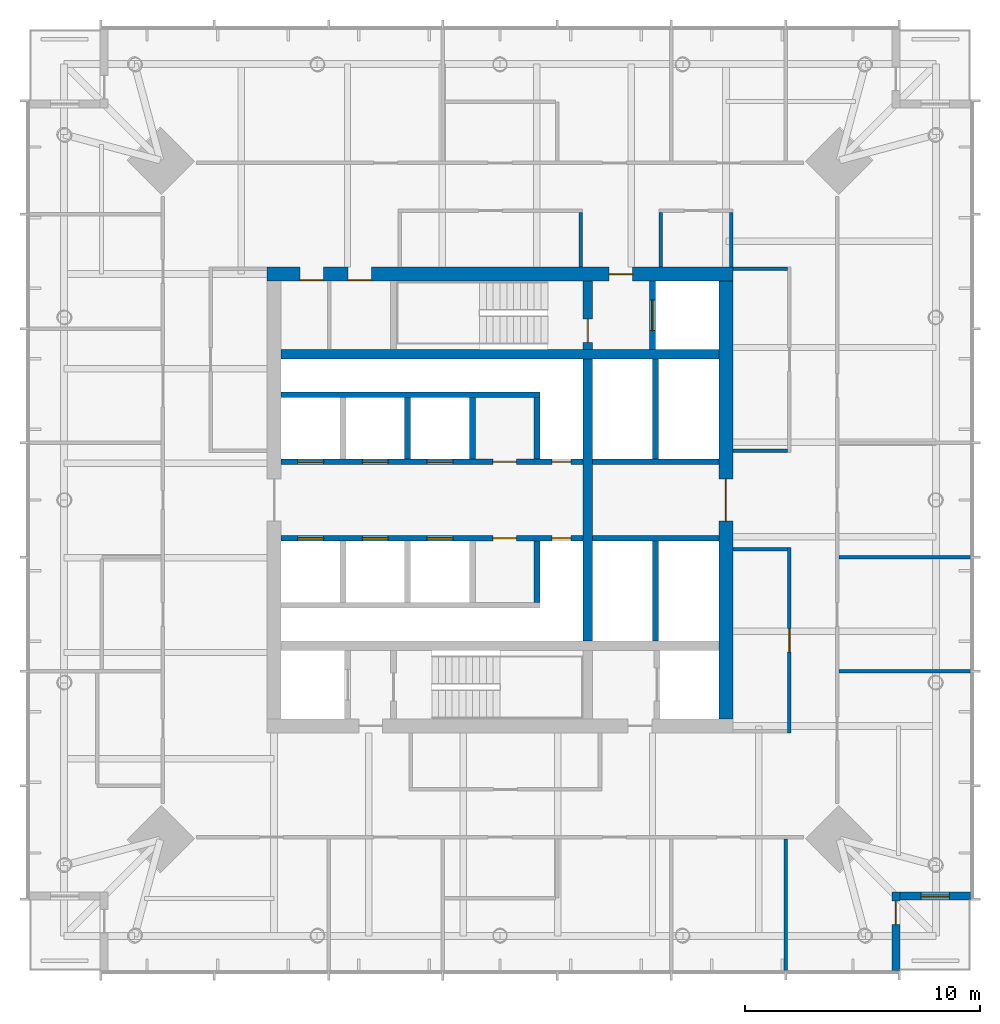
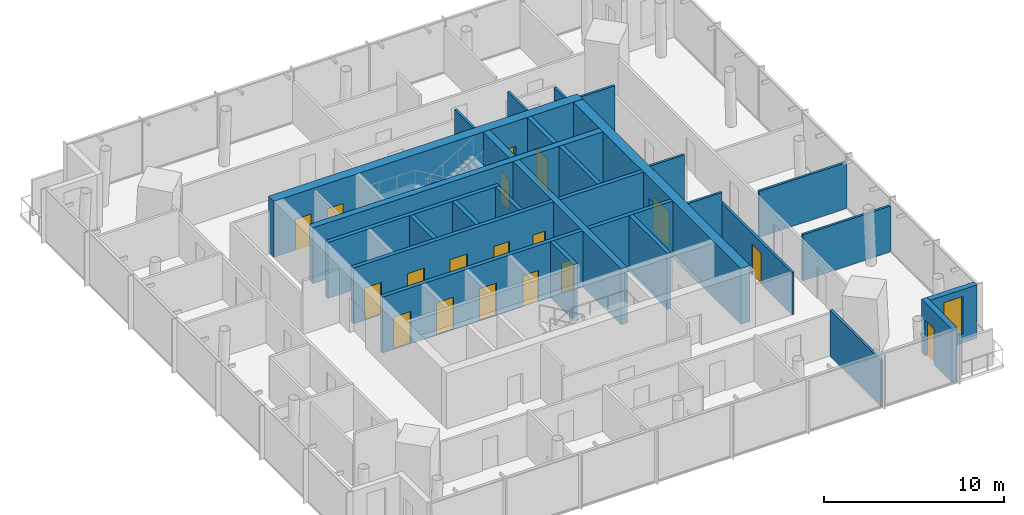
# One storey, part 6 of 9: 29 walls, 18 doors, 1 window, 19 openings.
"""IFC4 building model written with IfcOpenShell, lengths in metres."""

from ifc_helpers import new_model, si_unit, direction, frame, frame_2d, origin, place, context, subcontext, project, spatial, rectangle, extrude, material, layer, layer_set, type_object, element, fill, save


model = new_model("IFC4")

# Units and contexts
model_context = context("Model", 3, precision=1e-05, world=origin(), true_north=direction((0.0, 1.0)))
body_context = subcontext(model_context, "Body", "Model", "MODEL_VIEW")
ifc_project = project(units=[si_unit("LENGTHUNIT", "METRE"), si_unit("AREAUNIT", "SQUARE_METRE"), si_unit("VOLUMEUNIT", "CUBIC_METRE"), si_unit("PLANEANGLEUNIT", "RADIAN"), si_unit("MASSUNIT", "GRAM", prefix="KILO")], contexts=[model_context])

# Site, building, storey
site_placement = place(None, origin())
site = spatial("IfcSite", under=ifc_project, at=site_placement, CompositionType="ELEMENT")
building_placement = place(site_placement, origin())
building = spatial("IfcBuilding", under=site, at=building_placement, Name="Ostroluk Exchange", CompositionType="ELEMENT")
storey_placement = place(building_placement, frame((0.0, 0.0, 192.0)))
storey = spatial("IfcBuildingStorey", under=building, at=storey_placement, Name="L49", CompositionType="ELEMENT", Elevation=192.0)

# Walls
ifc_material_1 = material(Name="Concrete C50/60", Category="concrete")
ifc_layer_1 = layer(ifc_material_1, 0.39990234375)
ifc_layer_set_1 = layer_set([ifc_layer_1], Name="Core cross wall 400 C50/60")
wall_type_1 = type_object("IfcWallType", Name="Core cross wall 400 C50/60", PredefinedType="SHEAR", material=ifc_layer_set_1)
wall_1_placement = place(storey_placement, frame((35.699951171875, 52.199951171875, 0.0), z_axis=(0.0, 0.0, 1.0), x_axis=(1.0, 0.0, 0.0)))
element("IfcWall", 1, at=wall_1_placement, inside=storey, type_object=wall_type_1, Name="T1 core wall XN", PredefinedType="SHEAR", context=body_context, shape_type="SweptSolid", body=[
    extrude(rectangle(XDim=18.60009765625, YDim=0.39990234375, at=frame_2d((9.300048828125, 0.0))), origin(), (0.0, 0.0, 1.0), 3.800048828125),
])
wall_2_placement = place(storey_placement, frame((48.72998046875, 40.0, 0.0), z_axis=(0.0, 0.0, 1.0), x_axis=(0.0, 1.0, 0.0)))
element("IfcWall", 2, at=wall_2_placement, inside=storey, type_object=wall_type_1, Name="T1 core wall YE2", PredefinedType="SHEAR", context=body_context, shape_type="SweptSolid", body=[
    extrude(rectangle(XDim=12.0, YDim=0.39990234375, at=frame_2d((6.0, 0.0))), origin(), (0.0, 0.0, 1.0), 3.800048828125),
])

# Wall, opening, door
wall_3_placement = place(storey_placement, frame((48.72998046875, 52.39990234375, 0.0), z_axis=(0.0, 0.0, 1.0), x_axis=(0.0, 1.0, 0.0)))
wall_3 = element("IfcWall", 3, at=wall_3_placement, inside=storey, type_object=wall_type_1, Name="T1 core wall YE3", PredefinedType="SHEAR", context=body_context, shape_type="SweptSolid", body=[
    extrude(rectangle(XDim=2.900146484375, YDim=0.39990234375, at=frame_2d((1.4501953125, 0.0))), origin(), (0.0, 0.0, 1.0), 3.800048828125),
])
opening_1_placement = place(wall_3_placement, frame((0.300048828125, 0.0, 0.0)))
opening_1 = element("IfcOpeningElement", 4, at=opening_1_placement, cuts=wall_3, Name="Opening FD60", PredefinedType="OPENING", context=body_context, shape_type="SweptSolid", body=[
    extrude(rectangle(XDim=1.0, YDim=2.10009765625, at=frame_2d((0.5, 1.050048828125))), frame((0.0, 0.2099609375, 0.0), z_axis=(0.0, -1.0, 0.0), x_axis=(1.0, 0.0, 0.0)), (0.0, 0.0, 1.0), 0.419921875),
])
ifc_material_2 = material(Name="Steel", Category="steel")
door_type_1 = type_object("IfcDoorType", Name="Fire door EI 60 1000 x 2100", OperationType="SINGLE_SWING_LEFT", PredefinedType="DOOR", material=ifc_material_2)
door_1_placement = place(opening_1_placement, origin())
door_1 = element("IfcDoor", 5, at=door_1_placement, inside=storey, type_object=door_type_1, Name="Stair T1-S2 door", OperationType="SINGLE_SWING_LEFT", OverallHeight=2.10009765625, OverallWidth=1.0, PredefinedType="DOOR", context=body_context, shape_type="SweptSolid", body=[
    extrude(rectangle(XDim=1.0, YDim=2.10009765625, at=frame_2d((0.5, 1.050048828125))), frame((0.0, 0.02490234375, 0.0), z_axis=(0.0, -1.0, 0.0), x_axis=(1.0, 0.0, 0.0)), (0.0, 0.0, 1.0), 0.050048828125),
])
fill(opening_1, door_1)

ifc_material_3 = material(Name="Concrete C40/50", Category="concrete")
ifc_layer_2 = layer(ifc_material_3, 0.25)
ifc_layer_set_2 = layer_set([ifc_layer_2], Name="Core shaft wall 250")
wall_type_2 = type_object("IfcWallType", Name="Core shaft wall 250", PredefinedType="SHEAR", material=ifc_layer_set_2)
wall_4_placement = place(storey_placement, frame((51.47509765625, 52.39990234375, 0.0), z_axis=(0.0, 0.0, 1.0), x_axis=(0.0, 1.0, 0.0)))
wall_4 = element("IfcWall", 6, at=wall_4_placement, inside=storey, type_object=wall_type_2, Name="Firefighting lift shaft wall", PredefinedType="SHEAR", context=body_context, shape_type="SweptSolid", body=[
    extrude(rectangle(XDim=2.900146484375, YDim=0.25, at=frame_2d((1.4501953125, 0.0))), origin(), (0.0, 0.0, 1.0), 3.800048828125),
])
opening_2_placement = place(wall_4_placement, frame((0.800048828125, 0.0, 0.0)))
opening_2 = element("IfcOpeningElement", 7, at=opening_2_placement, cuts=wall_4, Name="Opening LD2", PredefinedType="OPENING", context=body_context, shape_type="SweptSolid", body=[
    extrude(rectangle(XDim=1.300048828125, YDim=2.199951171875, at=frame_2d((0.64990234375, 1.10009765625))), frame((0.0, 0.135009765625, 0.0), z_axis=(0.0, -1.0, 0.0), x_axis=(1.0, 0.0, 0.0)), (0.0, 0.0, 1.0), 0.27001953125),
])
ifc_material_4 = material(Name="Stainless steel", Category="steel")
door_type_2 = type_object("IfcDoorType", Name="Lift landing door E 60 1300 x 2200", OperationType="DOUBLE_DOOR_SLIDING", PredefinedType="DOOR", material=ifc_material_4)
door_2_placement = place(opening_2_placement, origin())
door_2 = element("IfcDoor", 8, at=door_2_placement, inside=storey, type_object=door_type_2, Name="Lift FL2 landing door", OperationType="DOUBLE_DOOR_SLIDING", OverallHeight=2.199951171875, OverallWidth=1.300048828125, PredefinedType="DOOR", context=body_context, shape_type="SweptSolid", body=[
    extrude(rectangle(XDim=1.300048828125, YDim=2.199951171875, at=frame_2d((0.64990234375, 1.10009765625))), frame((0.0, 0.02490234375, 0.0), z_axis=(0.0, -1.0, 0.0), x_axis=(1.0, 0.0, 0.0)), (0.0, 0.0, 1.0), 0.050048828125),
])
fill(opening_2, door_2)

# Walls
for number, where, z_axis, x_axis, name in (
    (9, (41.074951171875, 47.75, 0.0), (0.0, 0.0, 1.0), (0.0, 1.0, 0.0), "Lift shaft wall"),
    (10, (43.824951171875, 47.75, 0.0), (0.0, 0.0, 1.0), (0.0, 1.0, 0.0), "Lift shaft wall"),
    (11, (46.574951171875, 47.75, 0.0), (0.0, 0.0, 1.0), (0.0, 1.0, 0.0), "Lift shaft wall"),
):
    element("IfcWall", number, at=place(storey_placement, frame(where, z_axis=z_axis, x_axis=x_axis)), inside=storey, type_object=wall_type_2, Name=name, PredefinedType="SHEAR", context=body_context, shape_type="SweptSolid", body=[
        extrude(rectangle(XDim=2.60009765625, YDim=0.25, at=frame_2d((1.300048828125, 0.0))), origin(), (0.0, 0.0, 1.0), 3.800048828125),
    ])
wall_5_placement = place(storey_placement, frame((35.699951171875, 50.47509765625, 0.0), z_axis=(0.0, 0.0, 1.0), x_axis=(1.0, 0.0, 0.0)))
element("IfcWall", 12, at=wall_5_placement, inside=storey, type_object=wall_type_2, Name="Lift shaft wall", PredefinedType="SHEAR", context=body_context, shape_type="SweptSolid", body=[
    extrude(rectangle(XDim=11.0, YDim=0.25, at=frame_2d((5.5, 0.0))), origin(), (0.0, 0.0, 1.0), 3.800048828125),
])

# Wall, openings, doors
wall_6_placement = place(storey_placement, frame((35.699951171875, 47.625, 0.0), z_axis=(0.0, 0.0, 1.0), x_axis=(1.0, 0.0, 0.0)))
wall_6 = element("IfcWall", 13, at=wall_6_placement, inside=storey, type_object=wall_type_2, Name="Lift shaft front wall", PredefinedType="SHEAR", context=body_context, shape_type="SweptSolid", body=[
    extrude(rectangle(XDim=12.830078125, YDim=0.25, at=frame_2d((6.4150390625, 0.0))), origin(), (0.0, 0.0, 1.0), 3.800048828125),
])
opening_3_placement = place(wall_6_placement, frame((0.699951171875, 0.0, 0.0)))
opening_3 = element("IfcOpeningElement", 14, at=opening_3_placement, cuts=wall_6, Name="Opening LD", PredefinedType="OPENING", context=body_context, shape_type="SweptSolid", body=[
    extrude(rectangle(XDim=1.10009765625, YDim=2.199951171875, at=frame_2d((0.550048828125, 1.10009765625))), frame((0.0, 0.135009765625, 0.0), z_axis=(0.0, -1.0, 0.0), x_axis=(1.0, 0.0, 0.0)), (0.0, 0.0, 1.0), 0.27001953125),
])
opening_4_placement = place(wall_6_placement, frame((3.449951171875, 0.0, 0.0)))
opening_4 = element("IfcOpeningElement", 15, at=opening_4_placement, cuts=wall_6, Name="Opening LD", PredefinedType="OPENING", context=body_context, shape_type="SweptSolid", body=[
    extrude(rectangle(XDim=1.10009765625, YDim=2.199951171875, at=frame_2d((0.550048828125, 1.10009765625))), frame((0.0, 0.135009765625, 0.0), z_axis=(0.0, -1.0, 0.0), x_axis=(1.0, 0.0, 0.0)), (0.0, 0.0, 1.0), 0.27001953125),
])
opening_5_placement = place(wall_6_placement, frame((6.199951171875, 0.0, 0.0)))
opening_5 = element("IfcOpeningElement", 16, at=opening_5_placement, cuts=wall_6, Name="Opening LD", PredefinedType="OPENING", context=body_context, shape_type="SweptSolid", body=[
    extrude(rectangle(XDim=1.10009765625, YDim=2.199951171875, at=frame_2d((0.550048828125, 1.10009765625))), frame((0.0, 0.135009765625, 0.0), z_axis=(0.0, -1.0, 0.0), x_axis=(1.0, 0.0, 0.0)), (0.0, 0.0, 1.0), 0.27001953125),
])
opening_6_placement = place(wall_6_placement, frame((9.0, 0.0, 0.0)))
opening_6 = element("IfcOpeningElement", 17, at=opening_6_placement, cuts=wall_6, Name="Opening FD60", PredefinedType="OPENING", context=body_context, shape_type="SweptSolid", body=[
    extrude(rectangle(XDim=1.0, YDim=2.10009765625, at=frame_2d((0.5, 1.050048828125))), frame((0.0, 0.135009765625, 0.0), z_axis=(0.0, -1.0, 0.0), x_axis=(1.0, 0.0, 0.0)), (0.0, 0.0, 1.0), 0.27001953125),
])
opening_7_placement = place(wall_6_placement, frame((11.514892578125, 0.0, 0.0)))
opening_7 = element("IfcOpeningElement", 18, at=opening_7_placement, cuts=wall_6, Name="Opening RD60", PredefinedType="OPENING", context=body_context, shape_type="SweptSolid", body=[
    extrude(rectangle(XDim=0.800048828125, YDim=2.0, at=frame_2d((0.39990234375, 1.0))), frame((0.0, 0.135009765625, 0.0), z_axis=(0.0, -1.0, 0.0), x_axis=(1.0, 0.0, 0.0)), (0.0, 0.0, 1.0), 0.27001953125),
])
door_3_placement = place(opening_6_placement, origin())
door_3 = element("IfcDoor", 19, at=door_3_placement, inside=storey, type_object=door_type_1, Name="Core room door", OperationType="SINGLE_SWING_RIGHT", OverallHeight=2.10009765625, OverallWidth=1.0, PredefinedType="DOOR", context=body_context, shape_type="SweptSolid", body=[
    extrude(rectangle(XDim=1.0, YDim=2.10009765625, at=frame_2d((0.5, 1.050048828125))), frame((0.0, 0.02490234375, 0.0), z_axis=(0.0, -1.0, 0.0), x_axis=(1.0, 0.0, 0.0)), (0.0, 0.0, 1.0), 0.050048828125),
])
fill(opening_6, door_3)
ifc_material_5 = material(Name="Stainless steel", Category="steel")
door_type_3 = type_object("IfcDoorType", Name="Lift landing door E 60 1100 x 2200", OperationType="DOUBLE_DOOR_SLIDING", PredefinedType="DOOR", material=ifc_material_5)
door_4_placement = place(opening_3_placement, origin())
door_4 = element("IfcDoor", 20, at=door_4_placement, inside=storey, type_object=door_type_3, Name="Lift PL-H1 landing door", OperationType="DOUBLE_DOOR_SLIDING", OverallHeight=2.199951171875, OverallWidth=1.10009765625, PredefinedType="DOOR", context=body_context, shape_type="SweptSolid", body=[
    extrude(rectangle(XDim=1.10009765625, YDim=2.199951171875, at=frame_2d((0.550048828125, 1.10009765625))), frame((0.0, 0.02490234375, 0.0), z_axis=(0.0, -1.0, 0.0), x_axis=(1.0, 0.0, 0.0)), (0.0, 0.0, 1.0), 0.050048828125),
])
fill(opening_3, door_4)
door_5_placement = place(opening_4_placement, origin())
door_5 = element("IfcDoor", 21, at=door_5_placement, inside=storey, type_object=door_type_3, Name="Lift PL-H2 landing door", OperationType="DOUBLE_DOOR_SLIDING", OverallHeight=2.199951171875, OverallWidth=1.10009765625, PredefinedType="DOOR", context=body_context, shape_type="SweptSolid", body=[
    extrude(rectangle(XDim=1.10009765625, YDim=2.199951171875, at=frame_2d((0.550048828125, 1.10009765625))), frame((0.0, 0.02490234375, 0.0), z_axis=(0.0, -1.0, 0.0), x_axis=(1.0, 0.0, 0.0)), (0.0, 0.0, 1.0), 0.050048828125),
])
fill(opening_4, door_5)
door_6_placement = place(opening_5_placement, origin())
door_6 = element("IfcDoor", 22, at=door_6_placement, inside=storey, type_object=door_type_3, Name="Lift PL-H3 landing door", OperationType="DOUBLE_DOOR_SLIDING", OverallHeight=2.199951171875, OverallWidth=1.10009765625, PredefinedType="DOOR", context=body_context, shape_type="SweptSolid", body=[
    extrude(rectangle(XDim=1.10009765625, YDim=2.199951171875, at=frame_2d((0.550048828125, 1.10009765625))), frame((0.0, 0.02490234375, 0.0), z_axis=(0.0, -1.0, 0.0), x_axis=(1.0, 0.0, 0.0)), (0.0, 0.0, 1.0), 0.050048828125),
])
fill(opening_5, door_6)
ifc_material_6 = material(Name="Steel", Category="steel")
door_type_4 = type_object("IfcDoorType", Name="Riser access door EI 60 800 x 2000", OperationType="SINGLE_SWING_LEFT", PredefinedType="DOOR", material=ifc_material_6)
door_7_placement = place(opening_7_placement, origin())
door_7 = element("IfcDoor", 23, at=door_7_placement, inside=storey, type_object=door_type_4, Name="Riser access door", OperationType="SINGLE_SWING_RIGHT", OverallHeight=2.0, OverallWidth=0.800048828125, PredefinedType="DOOR", context=body_context, shape_type="SweptSolid", body=[
    extrude(rectangle(XDim=0.800048828125, YDim=2.0, at=frame_2d((0.39990234375, 1.0))), frame((0.0, 0.02490234375, 0.0), z_axis=(0.0, -1.0, 0.0), x_axis=(1.0, 0.0, 0.0)), (0.0, 0.0, 1.0), 0.050048828125),
])
fill(opening_7, door_7)

# Wall
wall_7_placement = place(storey_placement, frame((46.574951171875, 44.25, 0.0), z_axis=(0.0, 0.0, 1.0), x_axis=(0.0, -1.0, 0.0)))
element("IfcWall", 24, at=wall_7_placement, inside=storey, type_object=wall_type_2, Name="Lift shaft wall", PredefinedType="SHEAR", context=body_context, shape_type="SweptSolid", body=[
    extrude(rectangle(XDim=2.60009765625, YDim=0.25, at=frame_2d((1.300048828125, 0.0))), origin(), (0.0, 0.0, 1.0), 3.800048828125),
])

# Wall, openings, doors
wall_8_placement = place(storey_placement, frame((35.699951171875, 44.375, 0.0), z_axis=(0.0, 0.0, 1.0), x_axis=(1.0, 0.0, 0.0)))
wall_8 = element("IfcWall", 25, at=wall_8_placement, inside=storey, type_object=wall_type_2, Name="Lift shaft front wall", PredefinedType="SHEAR", context=body_context, shape_type="SweptSolid", body=[
    extrude(rectangle(XDim=12.830078125, YDim=0.25, at=frame_2d((6.4150390625, 0.0))), origin(), (0.0, 0.0, 1.0), 3.800048828125),
])
opening_8_placement = place(wall_8_placement, frame((0.699951171875, 0.0, 0.0)))
opening_8 = element("IfcOpeningElement", 26, at=opening_8_placement, cuts=wall_8, Name="Opening LD", PredefinedType="OPENING", context=body_context, shape_type="SweptSolid", body=[
    extrude(rectangle(XDim=1.10009765625, YDim=2.199951171875, at=frame_2d((0.550048828125, 1.10009765625))), frame((0.0, 0.135009765625, 0.0), z_axis=(0.0, -1.0, 0.0), x_axis=(1.0, 0.0, 0.0)), (0.0, 0.0, 1.0), 0.27001953125),
])
opening_9_placement = place(wall_8_placement, frame((3.449951171875, 0.0, 0.0)))
opening_9 = element("IfcOpeningElement", 27, at=opening_9_placement, cuts=wall_8, Name="Opening LD", PredefinedType="OPENING", context=body_context, shape_type="SweptSolid", body=[
    extrude(rectangle(XDim=1.10009765625, YDim=2.199951171875, at=frame_2d((0.550048828125, 1.10009765625))), frame((0.0, 0.135009765625, 0.0), z_axis=(0.0, -1.0, 0.0), x_axis=(1.0, 0.0, 0.0)), (0.0, 0.0, 1.0), 0.27001953125),
])
opening_10_placement = place(wall_8_placement, frame((6.199951171875, 0.0, 0.0)))
opening_10 = element("IfcOpeningElement", 28, at=opening_10_placement, cuts=wall_8, Name="Opening LD", PredefinedType="OPENING", context=body_context, shape_type="SweptSolid", body=[
    extrude(rectangle(XDim=1.10009765625, YDim=2.199951171875, at=frame_2d((0.550048828125, 1.10009765625))), frame((0.0, 0.135009765625, 0.0), z_axis=(0.0, -1.0, 0.0), x_axis=(1.0, 0.0, 0.0)), (0.0, 0.0, 1.0), 0.27001953125),
])
opening_11_placement = place(wall_8_placement, frame((9.0, 0.0, 0.0)))
opening_11 = element("IfcOpeningElement", 29, at=opening_11_placement, cuts=wall_8, Name="Opening FD60", PredefinedType="OPENING", context=body_context, shape_type="SweptSolid", body=[
    extrude(rectangle(XDim=1.0, YDim=2.10009765625, at=frame_2d((0.5, 1.050048828125))), frame((0.0, 0.135009765625, 0.0), z_axis=(0.0, -1.0, 0.0), x_axis=(1.0, 0.0, 0.0)), (0.0, 0.0, 1.0), 0.27001953125),
])
opening_12_placement = place(wall_8_placement, frame((11.514892578125, 0.0, 0.0)))
opening_12 = element("IfcOpeningElement", 30, at=opening_12_placement, cuts=wall_8, Name="Opening RD60", PredefinedType="OPENING", context=body_context, shape_type="SweptSolid", body=[
    extrude(rectangle(XDim=0.800048828125, YDim=2.0, at=frame_2d((0.39990234375, 1.0))), frame((0.0, 0.135009765625, 0.0), z_axis=(0.0, -1.0, 0.0), x_axis=(1.0, 0.0, 0.0)), (0.0, 0.0, 1.0), 0.27001953125),
])
door_8_placement = place(opening_11_placement, origin())
door_8 = element("IfcDoor", 31, at=door_8_placement, inside=storey, type_object=door_type_1, Name="Core room door", OperationType="SINGLE_SWING_RIGHT", OverallHeight=2.10009765625, OverallWidth=1.0, PredefinedType="DOOR", context=body_context, shape_type="SweptSolid", body=[
    extrude(rectangle(XDim=1.0, YDim=2.10009765625, at=frame_2d((0.5, 1.050048828125))), frame((0.0, 0.02490234375, 0.0), z_axis=(0.0, -1.0, 0.0), x_axis=(1.0, 0.0, 0.0)), (0.0, 0.0, 1.0), 0.050048828125),
])
fill(opening_11, door_8)
door_9_placement = place(opening_8_placement, origin())
door_9 = element("IfcDoor", 32, at=door_9_placement, inside=storey, type_object=door_type_3, Name="Lift PL-H4 landing door", OperationType="DOUBLE_DOOR_SLIDING", OverallHeight=2.199951171875, OverallWidth=1.10009765625, PredefinedType="DOOR", context=body_context, shape_type="SweptSolid", body=[
    extrude(rectangle(XDim=1.10009765625, YDim=2.199951171875, at=frame_2d((0.550048828125, 1.10009765625))), frame((0.0, 0.02490234375, 0.0), z_axis=(0.0, -1.0, 0.0), x_axis=(1.0, 0.0, 0.0)), (0.0, 0.0, 1.0), 0.050048828125),
])
fill(opening_8, door_9)
door_10_placement = place(opening_9_placement, origin())
door_10 = element("IfcDoor", 33, at=door_10_placement, inside=storey, type_object=door_type_3, Name="Lift PL-H5 landing door", OperationType="DOUBLE_DOOR_SLIDING", OverallHeight=2.199951171875, OverallWidth=1.10009765625, PredefinedType="DOOR", context=body_context, shape_type="SweptSolid", body=[
    extrude(rectangle(XDim=1.10009765625, YDim=2.199951171875, at=frame_2d((0.550048828125, 1.10009765625))), frame((0.0, 0.02490234375, 0.0), z_axis=(0.0, -1.0, 0.0), x_axis=(1.0, 0.0, 0.0)), (0.0, 0.0, 1.0), 0.050048828125),
])
fill(opening_9, door_10)
door_11_placement = place(opening_10_placement, origin())
door_11 = element("IfcDoor", 34, at=door_11_placement, inside=storey, type_object=door_type_3, Name="Lift PL-H6 landing door", OperationType="DOUBLE_DOOR_SLIDING", OverallHeight=2.199951171875, OverallWidth=1.10009765625, PredefinedType="DOOR", context=body_context, shape_type="SweptSolid", body=[
    extrude(rectangle(XDim=1.10009765625, YDim=2.199951171875, at=frame_2d((0.550048828125, 1.10009765625))), frame((0.0, 0.02490234375, 0.0), z_axis=(0.0, -1.0, 0.0), x_axis=(1.0, 0.0, 0.0)), (0.0, 0.0, 1.0), 0.050048828125),
])
fill(opening_10, door_11)
door_12_placement = place(opening_12_placement, origin())
door_12 = element("IfcDoor", 35, at=door_12_placement, inside=storey, type_object=door_type_4, Name="Riser access door", OperationType="SINGLE_SWING_RIGHT", OverallHeight=2.0, OverallWidth=0.800048828125, PredefinedType="DOOR", context=body_context, shape_type="SweptSolid", body=[
    extrude(rectangle(XDim=0.800048828125, YDim=2.0, at=frame_2d((0.39990234375, 1.0))), frame((0.0, 0.02490234375, 0.0), z_axis=(0.0, -1.0, 0.0), x_axis=(1.0, 0.0, 0.0)), (0.0, 0.0, 1.0), 0.050048828125),
])
fill(opening_12, door_12)

# Walls
wall_9_placement = place(storey_placement, frame((51.614990234375, 47.75, 0.0), z_axis=(0.0, 0.0, 1.0), x_axis=(0.0, 1.0, 0.0)))
element("IfcWall", 36, at=wall_9_placement, inside=storey, type_object=wall_type_2, Name="Lift shaft wall", PredefinedType="SHEAR", context=body_context, shape_type="SweptSolid", body=[
    extrude(rectangle(XDim=4.25, YDim=0.25, at=frame_2d((2.125, 0.0))), origin(), (0.0, 0.0, 1.0), 3.800048828125),
])
wall_10_placement = place(storey_placement, frame((48.929931640625, 47.625, 0.0), z_axis=(0.0, 0.0, 1.0), x_axis=(1.0, 0.0, 0.0)))
element("IfcWall", 37, at=wall_10_placement, inside=storey, type_object=wall_type_2, Name="Lift shaft front wall", PredefinedType="SHEAR", context=body_context, shape_type="SweptSolid", body=[
    extrude(rectangle(XDim=5.3701171875, YDim=0.25, at=frame_2d((2.68505859375, 0.0))), origin(), (0.0, 0.0, 1.0), 3.800048828125),
])
wall_11_placement = place(storey_placement, frame((51.614990234375, 44.25, 0.0), z_axis=(0.0, 0.0, 1.0), x_axis=(0.0, -1.0, 0.0)))
element("IfcWall", 38, at=wall_11_placement, inside=storey, type_object=wall_type_2, Name="Lift shaft wall", PredefinedType="SHEAR", context=body_context, shape_type="SweptSolid", body=[
    extrude(rectangle(XDim=4.25, YDim=0.25, at=frame_2d((2.125, 0.0))), origin(), (0.0, 0.0, 1.0), 3.800048828125),
])
wall_12_placement = place(storey_placement, frame((48.929931640625, 44.375, 0.0), z_axis=(0.0, 0.0, 1.0), x_axis=(1.0, 0.0, 0.0)))
element("IfcWall", 39, at=wall_12_placement, inside=storey, type_object=wall_type_2, Name="Lift shaft front wall", PredefinedType="SHEAR", context=body_context, shape_type="SweptSolid", body=[
    extrude(rectangle(XDim=5.3701171875, YDim=0.25, at=frame_2d((2.68505859375, 0.0))), origin(), (0.0, 0.0, 1.0), 3.800048828125),
])

# Wall, openings, doors
ifc_material_7 = material(Name="Concrete C50/60", Category="concrete")
ifc_layer_3 = layer(ifc_material_7, 0.60009765625)
ifc_layer_set_3 = layer_set([ifc_layer_3], Name="Core wall 600 C50/60")
wall_type_3 = type_object("IfcWallType", Name="Core wall 600 C50/60", PredefinedType="SHEAR", material=ifc_layer_set_3)
wall_13_placement = place(storey_placement, frame((35.10009765625, 55.60009765625, 0.0), z_axis=(0.0, 0.0, 1.0), x_axis=(1.0, 0.0, 0.0)))
wall_13 = element("IfcWall", 40, at=wall_13_placement, inside=storey, type_object=wall_type_3, Name="T1 core wall N", PredefinedType="SHEAR", context=body_context, shape_type="SweptSolid", body=[
    extrude(rectangle(XDim=19.7998046875, YDim=0.60009765625, at=frame_2d((9.89990234375, 0.0))), origin(), (0.0, 0.0, 1.0), 3.800048828125),
])
opening_13_placement = place(wall_13_placement, frame((14.5400390625, 0.0, 0.0)))
opening_13 = element("IfcOpeningElement", 41, at=opening_13_placement, cuts=wall_13, Name="Opening FD60", PredefinedType="OPENING", context=body_context, shape_type="SweptSolid", body=[
    extrude(rectangle(XDim=1.0, YDim=2.10009765625, at=frame_2d((0.5, 1.050048828125))), frame((0.0, 0.31005859375, 0.0), z_axis=(0.0, -1.0, 0.0), x_axis=(1.0, 0.0, 0.0)), (0.0, 0.0, 1.0), 0.6201171875),
])
opening_14_placement = place(wall_13_placement, frame((1.39599609375, 0.0, 0.0)))
opening_14 = element("IfcOpeningElement", 42, at=opening_14_placement, cuts=wall_13, Name="Opening FD60", PredefinedType="OPENING", context=body_context, shape_type="SweptSolid", body=[
    extrude(rectangle(XDim=1.0, YDim=2.10009765625, at=frame_2d((0.5, 1.050048828125))), frame((0.0, 0.31005859375, 0.0), z_axis=(0.0, -1.0, 0.0), x_axis=(1.0, 0.0, 0.0)), (0.0, 0.0, 1.0), 0.6201171875),
])
opening_15_placement = place(wall_13_placement, frame((3.447998046875, 0.0, 0.0)))
opening_15 = element("IfcOpeningElement", 43, at=opening_15_placement, cuts=wall_13, Name="Opening FD60", PredefinedType="OPENING", context=body_context, shape_type="SweptSolid", body=[
    extrude(rectangle(XDim=1.0, YDim=2.10009765625, at=frame_2d((0.5, 1.050048828125))), frame((0.0, 0.31005859375, 0.0), z_axis=(0.0, -1.0, 0.0), x_axis=(1.0, 0.0, 0.0)), (0.0, 0.0, 1.0), 0.6201171875),
])
door_13_placement = place(opening_13_placement, origin())
door_13 = element("IfcDoor", 44, at=door_13_placement, inside=storey, type_object=door_type_1, Name="Firefighting lobby door", OperationType="SINGLE_SWING_RIGHT", OverallHeight=2.10009765625, OverallWidth=1.0, PredefinedType="DOOR", context=body_context, shape_type="SweptSolid", body=[
    extrude(rectangle(XDim=1.0, YDim=2.10009765625, at=frame_2d((0.5, 1.050048828125))), frame((0.0, 0.02490234375, 0.0), z_axis=(0.0, -1.0, 0.0), x_axis=(1.0, 0.0, 0.0)), (0.0, 0.0, 1.0), 0.050048828125),
])
fill(opening_13, door_13)
door_14_placement = place(opening_14_placement, origin())
door_14 = element("IfcDoor", 45, at=door_14_placement, inside=storey, type_object=door_type_1, Name="Store door", OperationType="SINGLE_SWING_LEFT", OverallHeight=2.10009765625, OverallWidth=1.0, PredefinedType="DOOR", context=body_context, shape_type="SweptSolid", body=[
    extrude(rectangle(XDim=1.0, YDim=2.10009765625, at=frame_2d((0.5, 1.050048828125))), frame((0.0, -0.23974609375, 0.0), z_axis=(0.0, -1.0, 0.0), x_axis=(1.0, 0.0, 0.0)), (0.0, 0.0, 1.0), 0.050048828125),
])
fill(opening_14, door_14)
door_15_placement = place(opening_15_placement, origin())
door_15 = element("IfcDoor", 46, at=door_15_placement, inside=storey, type_object=door_type_1, Name="Print and post room door", OperationType="SINGLE_SWING_LEFT", OverallHeight=2.10009765625, OverallWidth=1.0, PredefinedType="DOOR", context=body_context, shape_type="SweptSolid", body=[
    extrude(rectangle(XDim=1.0, YDim=2.10009765625, at=frame_2d((0.5, 1.050048828125))), frame((0.0, -0.23974609375, 0.0), z_axis=(0.0, -1.0, 0.0), x_axis=(1.0, 0.0, 0.0)), (0.0, 0.0, 1.0), 0.050048828125),
])
fill(opening_15, door_15)

# Wall, opening, door
wall_14_placement = place(storey_placement, frame((54.60009765625, 36.699951171875, 0.0), z_axis=(0.0, 0.0, 1.0), x_axis=(0.0, 1.0, 0.0)))
wall_14 = element("IfcWall", 47, at=wall_14_placement, inside=storey, type_object=wall_type_3, Name="T1 core wall E", PredefinedType="SHEAR", context=body_context, shape_type="SweptSolid", body=[
    extrude(rectangle(XDim=18.60009765625, YDim=0.60009765625, at=frame_2d((9.300048828125, 0.0))), origin(), (0.0, 0.0, 1.0), 3.800048828125),
])
opening_16_placement = place(wall_14_placement, frame((8.39990234375, 0.0, 0.0)))
opening_16 = element("IfcOpeningElement", 48, at=opening_16_placement, cuts=wall_14, Name="Opening FD30D", PredefinedType="OPENING", context=body_context, shape_type="SweptSolid", body=[
    extrude(rectangle(XDim=1.800048828125, YDim=2.39990234375, at=frame_2d((0.89990234375, 1.199951171875))), frame((0.0, 0.31005859375, 0.0), z_axis=(0.0, -1.0, 0.0), x_axis=(1.0, 0.0, 0.0)), (0.0, 0.0, 1.0), 0.6201171875),
])
ifc_material_8 = material(Name="Timber", Category="wood")
door_type_5 = type_object("IfcDoorType", Name="Lobby double door EI 30 1800 x 2400", OperationType="DOUBLE_DOOR_SINGLE_SWING", PredefinedType="DOOR", material=ifc_material_8)
door_16_placement = place(opening_16_placement, origin())
door_16 = element("IfcDoor", 49, at=door_16_placement, inside=storey, type_object=door_type_5, Name="Lift lobby doors", OperationType="DOUBLE_DOOR_SINGLE_SWING", OverallHeight=2.39990234375, OverallWidth=1.800048828125, PredefinedType="DOOR", context=body_context, shape_type="SweptSolid", body=[
    extrude(rectangle(XDim=1.800048828125, YDim=2.39990234375, at=frame_2d((0.89990234375, 1.199951171875))), frame((0.0, 0.02490234375, 0.0), z_axis=(0.0, -1.0, 0.0), x_axis=(1.0, 0.0, 0.0)), (0.0, 0.0, 1.0), 0.050048828125),
])
fill(opening_16, door_16)

ifc_material_9 = material(Name="Limestone", Category="masonry")
ifc_layer_4 = layer(ifc_material_9, 0.35009765625)
ifc_layer_set_4 = layer_set([ifc_layer_4], Name="Limestone facade wall 350")
wall_type_4 = type_object("IfcWallType", Name="Limestone facade wall 350", PredefinedType="SOLIDWALL", material=ifc_layer_set_4)
wall_15_placement = place(storey_placement, frame((61.824951171875, 26.0, 0.0), z_axis=(0.0, 0.0, 1.0), x_axis=(0.0, 1.0, 0.0)))
wall_15 = element("IfcWall", 50, at=wall_15_placement, inside=storey, type_object=wall_type_4, Name="Office tower SE corner wall L49 a", PredefinedType="SOLIDWALL", context=body_context, shape_type="SweptSolid", body=[
    extrude(rectangle(XDim=3.35009765625, YDim=0.35009765625, at=frame_2d((1.675048828125, 0.0))), origin(), (0.0, 0.0, 1.0), 3.6201171875),
])
opening_17_placement = place(wall_15_placement, frame((1.949951171875, 0.0, 0.0)))
opening_17 = element("IfcOpeningElement", 51, at=opening_17_placement, cuts=wall_15, Name="Opening D-B1", PredefinedType="OPENING", context=body_context, shape_type="SweptSolid", body=[
    extrude(rectangle(XDim=1.0, YDim=2.39990234375, at=frame_2d((0.5, 1.199951171875))), frame((0.0, 0.18505859375, 0.0), z_axis=(0.0, -1.0, 0.0), x_axis=(1.0, 0.0, 0.0)), (0.0, 0.0, 1.0), 0.3701171875),
])
ifc_material_10 = material(Name="Bronze framed glazed door", Category="aluminium")
door_type_6 = type_object("IfcDoorType", Name="Balcony door 1000 x 2400", OperationType="SINGLE_SWING_LEFT", PredefinedType="DOOR", material=ifc_material_10)
door_17_placement = place(opening_17_placement, origin())
door_17 = element("IfcDoor", 52, at=door_17_placement, inside=storey, type_object=door_type_6, Name="Office tower SE balcony door L49", OperationType="SINGLE_SWING_RIGHT", OverallHeight=2.39990234375, OverallWidth=1.0, PredefinedType="DOOR", context=body_context, shape_type="SweptSolid", body=[
    extrude(rectangle(XDim=1.0, YDim=2.39990234375, at=frame_2d((0.5, 1.199951171875))), frame((0.0, 0.02490234375, 0.0), z_axis=(0.0, -1.0, 0.0), x_axis=(1.0, 0.0, 0.0)), (0.0, 0.0, 1.0), 0.050048828125),
])
fill(opening_17, door_17)

# Wall, opening, window
wall_16_placement = place(storey_placement, frame((62.0, 29.175048828125, 0.0), z_axis=(0.0, 0.0, 1.0), x_axis=(1.0, 0.0, 0.0)))
wall_16 = element("IfcWall", 53, at=wall_16_placement, inside=storey, type_object=wall_type_4, Name="Office tower SE corner wall L49 b", PredefinedType="SOLIDWALL", context=body_context, shape_type="SweptSolid", body=[
    extrude(rectangle(XDim=3.0, YDim=0.35009765625, at=frame_2d((1.5, 0.0))), origin(), (0.0, 0.0, 1.0), 3.6201171875),
])
opening_18_placement = place(wall_16_placement, frame((0.89990234375, 0.0, 0.60009765625)))
opening_18 = element("IfcOpeningElement", 54, at=opening_18_placement, cuts=wall_16, Name="Opening WN-L1", PredefinedType="OPENING", context=body_context, shape_type="SweptSolid", body=[
    extrude(rectangle(XDim=1.199951171875, YDim=2.550048828125, at=frame_2d((0.60009765625, 1.27490234375))), frame((0.0, 0.18505859375, 0.0), z_axis=(0.0, -1.0, 0.0), x_axis=(1.0, 0.0, 0.0)), (0.0, 0.0, 1.0), 0.3701171875),
])
ifc_material_11 = material(Name="Laminated clear glass", Category="glass")
window_type = type_object("IfcWindowType", Name="Lancet window 1200 x 2550", PartitioningType="SINGLE_PANEL", PredefinedType="WINDOW", material=ifc_material_11)
window_placement = place(opening_18_placement, origin())
window = element("IfcWindow", 55, at=window_placement, inside=storey, type_object=window_type, Name="Office tower SE lancet window L49", OverallHeight=2.550048828125, OverallWidth=1.199951171875, PartitioningType="SINGLE_PANEL", PredefinedType="WINDOW", context=body_context, shape_type="SweptSolid", body=[
    extrude(rectangle(XDim=1.199951171875, YDim=2.550048828125, at=frame_2d((0.60009765625, 1.27490234375))), frame((0.0, 0.030029296875, 0.0), z_axis=(0.0, -1.0, 0.0), x_axis=(1.0, 0.0, 0.0)), (0.0, 0.0, 1.0), 0.06005859375),
])
fill(opening_18, window)

# Wall, opening, door
ifc_material_12 = material(Name="Gypsum plasterboard partition", Category="gypsum")
ifc_layer_5 = layer(ifc_material_12, 0.14990234375)
ifc_layer_set_5 = layer_set([ifc_layer_5], Name="Plasterboard partition 150")
wall_type_5 = type_object("IfcWallType", Name="Plasterboard partition 150", PredefinedType="PARTITIONING", material=ifc_layer_set_5)
wall_17_placement = place(storey_placement, frame((57.300048828125, 36.10009765625, 0.0), z_axis=(0.0, 0.0, 1.0), x_axis=(0.0, 1.0, 0.0)))
wall_17 = element("IfcWall", 56, at=wall_17_placement, inside=storey, type_object=wall_type_5, Name="Partition", PredefinedType="PARTITIONING", context=body_context, shape_type="SweptSolid", body=[
    extrude(rectangle(XDim=7.875, YDim=0.14990234375, at=frame_2d((3.9375, 0.0))), origin(), (0.0, 0.0, 1.0), 2.866943359375),
])
opening_19_placement = place(wall_17_placement, frame((3.4375, 0.0, 0.0)))
opening_19 = element("IfcOpeningElement", 57, at=opening_19_placement, cuts=wall_17, Name="Opening D-03", PredefinedType="OPENING", context=body_context, shape_type="SweptSolid", body=[
    extrude(rectangle(XDim=1.0, YDim=2.10009765625, at=frame_2d((0.5, 1.050048828125))), frame((0.0, 0.0849609375, 0.0), z_axis=(0.0, -1.0, 0.0), x_axis=(1.0, 0.0, 0.0)), (0.0, 0.0, 1.0), 0.169921875),
])
ifc_material_13 = material(Name="Timber", Category="wood")
door_type_7 = type_object("IfcDoorType", Name="Internal door 1000 x 2100", OperationType="SINGLE_SWING_LEFT", PredefinedType="DOOR", material=ifc_material_13)
door_18_placement = place(opening_19_placement, origin())
door_18 = element("IfcDoor", 58, at=door_18_placement, inside=storey, type_object=door_type_7, Name="Tea point door", OperationType="SINGLE_SWING_LEFT", OverallHeight=2.10009765625, OverallWidth=1.0, PredefinedType="DOOR", context=body_context, shape_type="SweptSolid", body=[
    extrude(rectangle(XDim=1.0, YDim=2.10009765625, at=frame_2d((0.5, 1.050048828125))), frame((0.0, 0.02490234375, 0.0), z_axis=(0.0, -1.0, 0.0), x_axis=(1.0, 0.0, 0.0)), (0.0, 0.0, 1.0), 0.050048828125),
])
fill(opening_19, door_18)

# Walls
for number, where, z_axis, x_axis, name in (
    (59, (54.89990234375, 43.89990234375, 0.0), (0.0, 0.0, 1.0), (1.0, 0.0, 0.0), "Partition"),
    (60, (54.89990234375, 48.10009765625, 0.0), (0.0, 0.0, 1.0), (1.0, 0.0, 0.0), "Partition"),
    (61, (54.89990234375, 55.824951171875, 0.0), (0.0, 0.0, 1.0), (1.0, 0.0, 0.0), "Partition"),
):
    element("IfcWall", number, at=place(storey_placement, frame(where, z_axis=z_axis, x_axis=x_axis)), inside=storey, type_object=wall_type_5, Name=name, PredefinedType="PARTITIONING", context=body_context, shape_type="SweptSolid", body=[
        extrude(rectangle(XDim=2.3251953125, YDim=0.14990234375, at=frame_2d((1.16259765625, 0.0))), origin(), (0.0, 0.0, 1.0), 3.6201171875),
    ])
wall_18_placement = place(storey_placement, frame((54.824951171875, 55.89990234375, 0.0), z_axis=(0.0, 0.0, 1.0), x_axis=(0.0, 1.0, 0.0)))
element("IfcWall", 62, at=wall_18_placement, inside=storey, type_object=wall_type_5, Name="Partition", PredefinedType="PARTITIONING", context=body_context, shape_type="SweptSolid", body=[
    extrude(rectangle(XDim=2.3251953125, YDim=0.14990234375, at=frame_2d((1.16259765625, 0.0))), origin(), (0.0, 0.0, 1.0), 2.866943359375),
])
for number, where, z_axis, x_axis, name in (
    (63, (51.840087890625, 55.89990234375, 0.0), (0.0, 0.0, 1.0), (0.0, 1.0, 0.0), "Partition"),
    (64, (48.43994140625, 55.89990234375, 0.0), (0.0, 0.0, 1.0), (0.0, 1.0, 0.0), "Partition"),
):
    element("IfcWall", number, at=place(storey_placement, frame(where, z_axis=z_axis, x_axis=x_axis)), inside=storey, type_object=wall_type_5, Name=name, PredefinedType="PARTITIONING", context=body_context, shape_type="SweptSolid", body=[
        extrude(rectangle(XDim=2.3251953125, YDim=0.14990234375, at=frame_2d((1.16259765625, 0.0))), origin(), (0.0, 0.0, 1.0), 3.6201171875),
    ])
for number, where, z_axis, x_axis, name in (
    (65, (59.39990234375, 38.71435546875, 0.0), (0.0, 0.0, 1.0), (1.0, 0.0, 0.0), "Partition"),
    (66, (59.39990234375, 43.571533203125, 0.0), (0.0, 0.0, 1.0), (1.0, 0.0, 0.0), "Partition"),
    (67, (57.142822265625, 31.60009765625, 0.0), (0.0, 0.0, 1.0), (0.0, -1.0, 0.0), "Partition"),
):
    element("IfcWall", number, at=place(storey_placement, frame(where, z_axis=z_axis, x_axis=x_axis)), inside=storey, type_object=wall_type_5, Name=name, PredefinedType="PARTITIONING", context=body_context, shape_type="SweptSolid", body=[
        extrude(rectangle(XDim=5.64013671875, YDim=0.14990234375, at=frame_2d((2.820068359375, 0.0))), origin(), (0.0, 0.0, 1.0), 3.1201171875),
    ])

save(model, "model.ifc")
